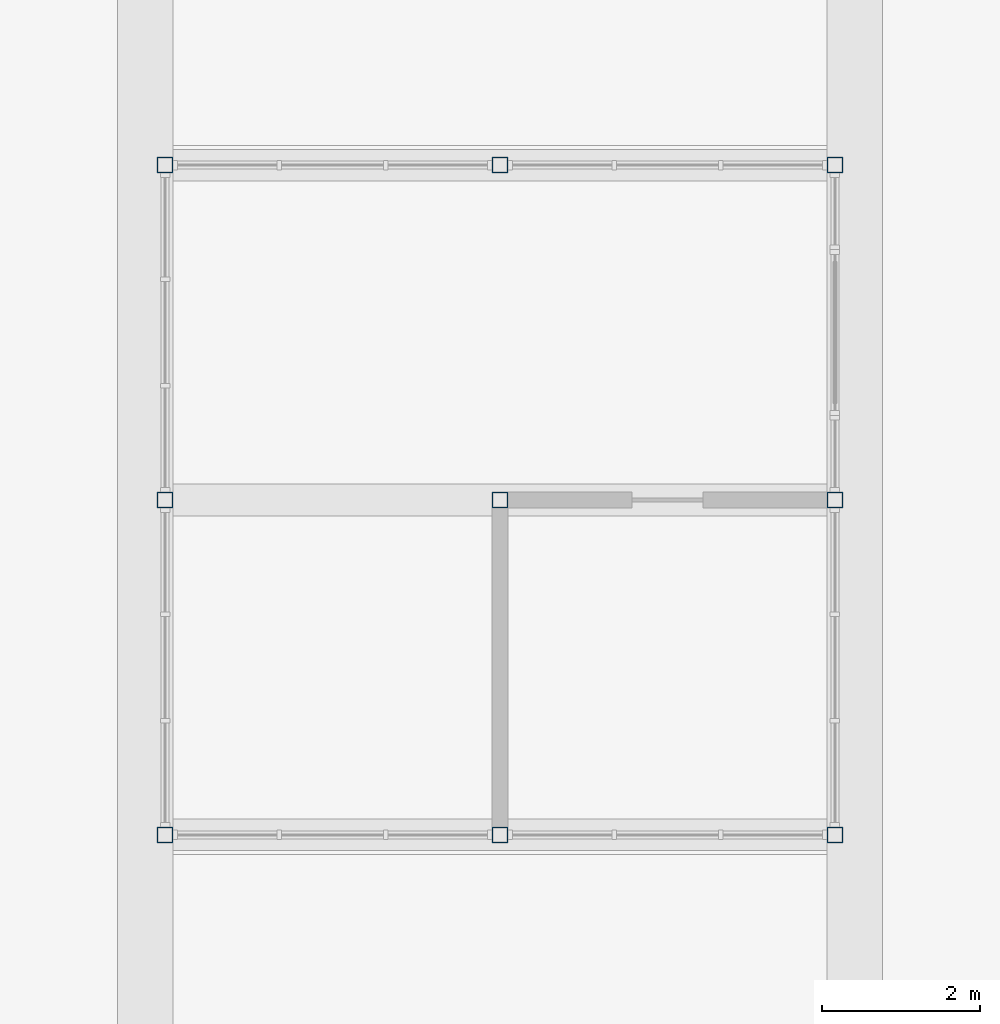
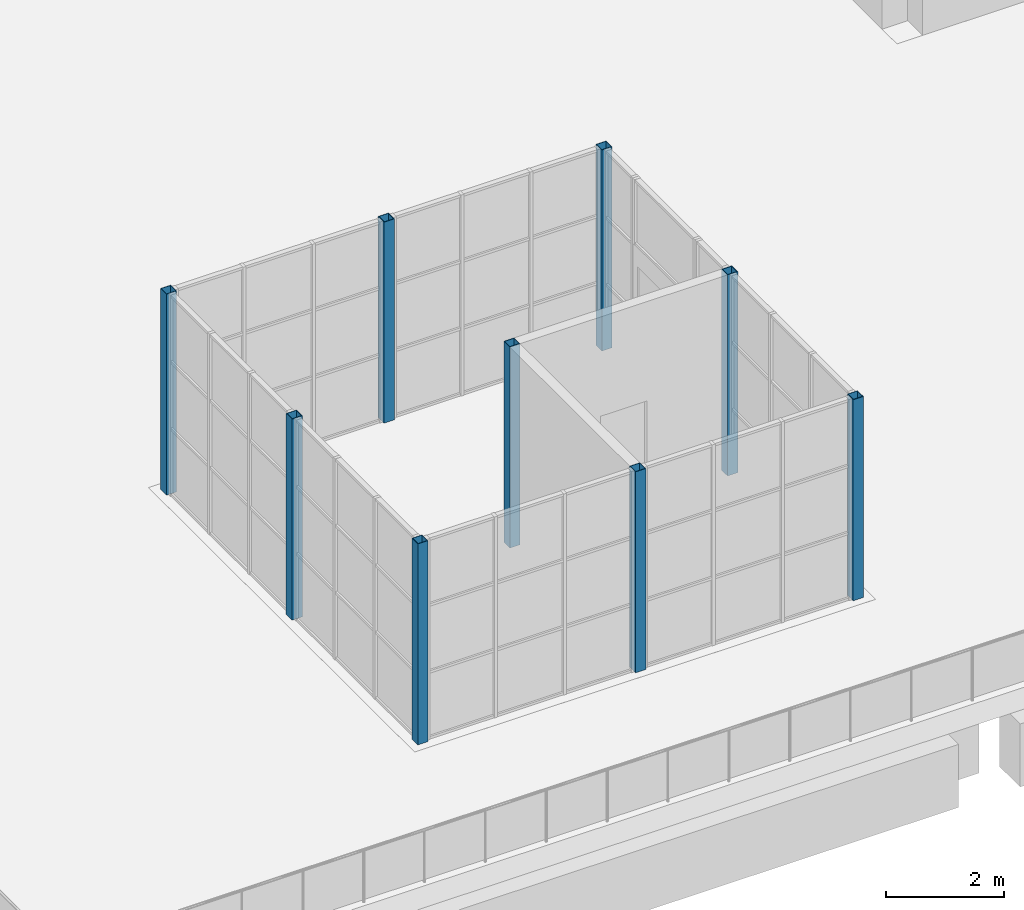
# One storey, part 1 of 168: 9 columns.
"""IFC4 building model written with IfcOpenShell, lengths in metres."""

from ifc_helpers import new_model, si_unit, direction, frame, origin, origin_2d, place, context, subcontext, project, spatial, hollow_rectangle, extrude, material, material_profile, profile_set, type_object, element, save


model = new_model("IFC4")

# Units and contexts
model_context = context("Model", 3, precision=1e-05, world=origin(), true_north=direction((0.0, 1.0)))
body_context = subcontext(model_context, "Body", "Model", "MODEL_VIEW")
ifc_project = project(units=[si_unit("LENGTHUNIT", "METRE"), si_unit("AREAUNIT", "SQUARE_METRE"), si_unit("VOLUMEUNIT", "CUBIC_METRE"), si_unit("PLANEANGLEUNIT", "RADIAN"), si_unit("MASSUNIT", "GRAM", prefix="KILO")], contexts=[model_context])

# Site, building, storey
site_placement = place(None, origin())
site = spatial("IfcSite", under=ifc_project, at=site_placement, CompositionType="ELEMENT")
building_placement = place(site_placement, origin())
building = spatial("IfcBuilding", under=site, at=building_placement, Name="Silverbay Arena", CompositionType="ELEMENT")
storey_placement = place(building_placement, frame((0.0, 0.0, 7.0)))
storey = spatial("IfcBuildingStorey", under=building, at=storey_placement, Name="L01", CompositionType="ELEMENT", Elevation=7.0)

# Columns
ifc_material = material(Name="Steel S355", Category="steel")
ifc_material_profile = material_profile(ifc_material, hollow_rectangle(XDim=0.199951171875, YDim=0.199951171875, WallThickness=0.010009765625, at=origin_2d()), Name="SHS 200x200x10")
ifc_profile_set = profile_set([ifc_material_profile], Name="Steel S355")
column_type = type_object("IfcColumnType", Name="Pavilion column SHS 200x200x10", PredefinedType="COLUMN", material=ifc_profile_set)
for number, where, z_axis, x_axis, name in (
    (1, (9.25, 3.75, 0.0), (0.0, 0.0, 1.0), (1.0, 0.0, 0.0), "Pavilion column 1.1"),
    (2, (9.25, 8.0, 0.0), (0.0, 0.0, 1.0), (1.0, 0.0, 0.0), "Pavilion column 1.2"),
    (3, (9.25, 12.25, 0.0), (0.0, 0.0, 1.0), (1.0, 0.0, 0.0), "Pavilion column 1.3"),
    (4, (13.5, 3.75, 0.0), (0.0, 0.0, 1.0), (1.0, 0.0, 0.0), "Pavilion column 2.1"),
    (5, (13.5, 8.0, 0.0), (0.0, 0.0, 1.0), (1.0, 0.0, 0.0), "Pavilion column 2.2"),
    (6, (13.5, 12.25, 0.0), (0.0, 0.0, 1.0), (1.0, 0.0, 0.0), "Pavilion column 2.3"),
    (7, (17.75, 3.75, 0.0), (0.0, 0.0, 1.0), (1.0, 0.0, 0.0), "Pavilion column 3.1"),
    (8, (17.75, 8.0, 0.0), (0.0, 0.0, 1.0), (1.0, 0.0, 0.0), "Pavilion column 3.2"),
    (9, (17.75, 12.25, 0.0), (0.0, 0.0, 1.0), (1.0, 0.0, 0.0), "Pavilion column 3.3"),
):
    element("IfcColumn", number, at=place(storey_placement, frame(where, z_axis=z_axis, x_axis=x_axis)), inside=storey, type_object=column_type, Name=name, PredefinedType="COLUMN", context=body_context, shape_type="SweptSolid", body=[
        extrude(hollow_rectangle(XDim=0.199951171875, YDim=0.199951171875, WallThickness=0.010009765625, at=origin_2d()), origin(), (0.0, 0.0, 1.0), 4.14990234375),
    ])

save(model, "model.ifc")
